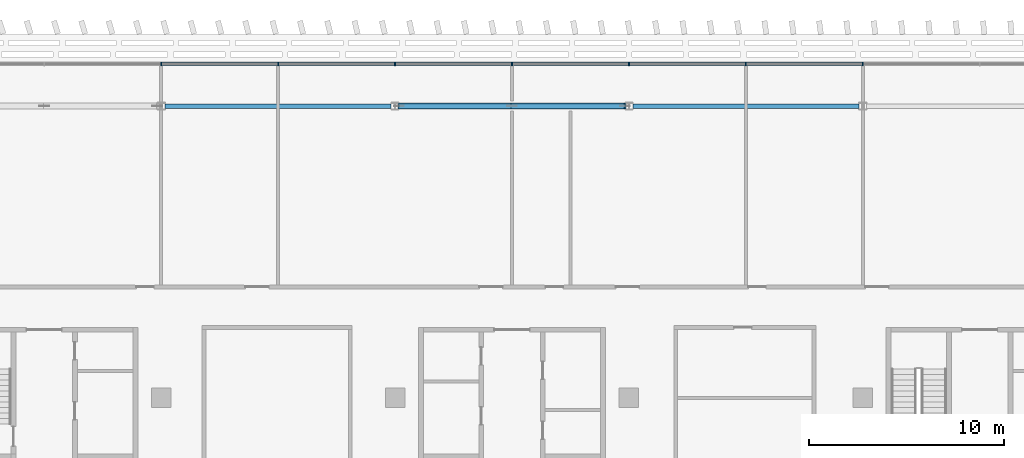
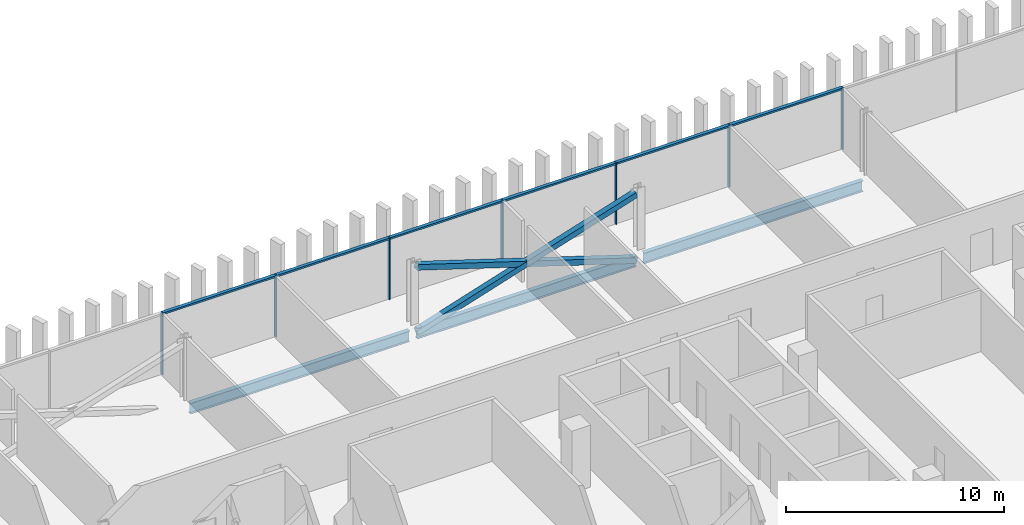
# One storey, part 10 of 32: 16 members, 3 beams, 1 element without a shape of its own.
"""IFC4 building model written with IfcOpenShell, lengths in metres."""

from ifc_helpers import new_model, si_unit, direction, frame, origin, origin_2d, place, context, subcontext, project, spatial, rectangle, hollow_rectangle, i_section, extrude, material, material_profile, profile_set, type_object, element, aggregate, save


model = new_model("IFC4")

# Units and contexts
model_context = context("Model", 3, precision=1e-05, world=origin(), true_north=direction((0.0, 1.0)))
body_context = subcontext(model_context, "Body", "Model", "MODEL_VIEW")
ifc_project = project(units=[si_unit("LENGTHUNIT", "METRE"), si_unit("AREAUNIT", "SQUARE_METRE"), si_unit("VOLUMEUNIT", "CUBIC_METRE"), si_unit("PLANEANGLEUNIT", "RADIAN"), si_unit("MASSUNIT", "GRAM", prefix="KILO")], contexts=[model_context])

# Site, building, storey
site_placement = place(None, origin())
site = spatial("IfcSite", under=ifc_project, at=site_placement, CompositionType="ELEMENT")
building_placement = place(site_placement, origin())
building = spatial("IfcBuilding", under=site, at=building_placement, Name="Mahtab Terrace Research Tower", CompositionType="ELEMENT")
storey_placement = place(building_placement, frame((0.0, 0.0, 232.39990234375)))
storey = spatial("IfcBuildingStorey", under=building, at=storey_placement, Name="L56", CompositionType="ELEMENT", Elevation=232.39990234375)

# Members
ifc_material_1 = material(Name="Steel ASTM A500 Gr C", Category="steel")
ifc_material_profile_1 = material_profile(ifc_material_1, hollow_rectangle(XDim=0.3046875, YDim=0.3046875, WallThickness=0.015869140625, at=origin_2d()), Name="HSS12X12X5/8")
ifc_profile_set_1 = profile_set([ifc_material_profile_1], Name="Steel ASTM A500 Gr C")
member_type_1 = type_object("IfcMemberType", Name="HSS 12x12x5/8 brace XB121258", PredefinedType="BRACE", material=ifc_profile_set_1)
member_1_placement = place(storey_placement, frame((5.800537109375, 26.472900390625, -0.580322265625), z_axis=(-0.953338568311, 0.0, 0.301903252998), x_axis=(0.0, -1.0, 0.0)))
element("IfcMember", 1, at=member_1_placement, inside=storey, type_object=member_type_1, Name="Exoskeleton brace L56 05 a", PredefinedType="BRACE", context=body_context, shape_type="SweptSolid", body=[
    extrude(hollow_rectangle(XDim=0.3046875, YDim=0.3046875, WallThickness=0.015869140625, at=origin_2d()), origin(), (0.0, 0.0, 1.0), 12.1689453125),
])
for number, where, z_axis, x_axis, name in (
    (2, (-5.800537109375, 26.472900390625, -0.580322265625), (0.953338568311, 0.0, 0.301903252998), (0.0, 1.0, 0.0), "Exoskeleton brace L56 05 b1"),
    (3, (0.0, 26.472900390625, 1.256591796875), (0.953338568311, 0.0, 0.301903252998), (0.0, 1.0, 0.0), "Exoskeleton brace L56 05 b2"),
):
    element("IfcMember", number, at=place(storey_placement, frame(where, z_axis=z_axis, x_axis=x_axis)), inside=storey, type_object=member_type_1, Name=name, PredefinedType="BRACE", context=body_context, shape_type="SweptSolid", body=[
        extrude(hollow_rectangle(XDim=0.3046875, YDim=0.3046875, WallThickness=0.015869140625, at=origin_2d()), origin(), (0.0, 0.0, 1.0), 6.08447265625),
    ])

# Curtain wall, members
ifc_material_2 = material(Name="Office ribbon curtain wall")
curtain_wall_type = type_object("IfcCurtainWallType", Name="Office ribbon curtain wall", PredefinedType="NOTDEFINED", material=ifc_material_2)
curtain_wall_placement = place(storey_placement, origin())
curtain_wall = element("IfcCurtainWall", 4, at=curtain_wall_placement, inside=storey, type_object=curtain_wall_type, Name="EN.L56.3.3", PredefinedType="NOTDEFINED")
ifc_material_3 = material(Name="Natural anodised aluminium", Category="aluminium")
ifc_material_profile_2 = material_profile(ifc_material_3, rectangle(XDim=0.179931640625, YDim=0.06005859375, at=origin_2d()), Name="MULLION 60x180")
ifc_profile_set_2 = profile_set([ifc_material_profile_2], Name="Natural anodised aluminium")
member_type_2 = type_object("IfcMemberType", Name="Office ribbon curtain wall mullion", PredefinedType="MULLION", material=ifc_profile_set_2)
member_2_placement = place(storey_placement, frame((18.0, 28.638916015625, 0.0), z_axis=(0.0, 0.0, 1.0), x_axis=(0.0, -1.0, 0.0)))
member_2 = element("IfcMember", 5, at=member_2_placement, type_object=member_type_2, Name="CWO-7 mullion 6", PredefinedType="MULLION", context=body_context, shape_type="SweptSolid", body=[
    extrude(rectangle(XDim=0.179931640625, YDim=0.06005859375, at=origin_2d()), origin(), (0.0, 0.0, 1.0), 3.460205078125),
])
member_3_placement = place(storey_placement, frame((12.0, 28.638916015625, 0.0), z_axis=(0.0, 0.0, 1.0), x_axis=(0.0, -1.0, 0.0)))
member_3 = element("IfcMember", 6, at=member_3_placement, type_object=member_type_2, Name="CWO-7 mullion 7", PredefinedType="MULLION", context=body_context, shape_type="SweptSolid", body=[
    extrude(rectangle(XDim=0.179931640625, YDim=0.06005859375, at=origin_2d()), origin(), (0.0, 0.0, 1.0), 3.460205078125),
])
member_4_placement = place(storey_placement, frame((6.0, 28.638916015625, 0.0), z_axis=(0.0, 0.0, 1.0), x_axis=(0.0, -1.0, 0.0)))
member_4 = element("IfcMember", 7, at=member_4_placement, type_object=member_type_2, Name="CWO-7 mullion 8", PredefinedType="MULLION", context=body_context, shape_type="SweptSolid", body=[
    extrude(rectangle(XDim=0.179931640625, YDim=0.06005859375, at=origin_2d()), origin(), (0.0, 0.0, 1.0), 3.460205078125),
])
member_5_placement = place(storey_placement, frame((0.0, 28.638916015625, 0.0), z_axis=(0.0, 0.0, 1.0), x_axis=(0.0, -1.0, 0.0)))
member_5 = element("IfcMember", 8, at=member_5_placement, type_object=member_type_2, Name="CWO-7 mullion 9", PredefinedType="MULLION", context=body_context, shape_type="SweptSolid", body=[
    extrude(rectangle(XDim=0.179931640625, YDim=0.06005859375, at=origin_2d()), origin(), (0.0, 0.0, 1.0), 3.460205078125),
])
member_6_placement = place(storey_placement, frame((-6.0, 28.638916015625, 0.0), z_axis=(0.0, 0.0, 1.0), x_axis=(0.0, -1.0, 0.0)))
member_6 = element("IfcMember", 9, at=member_6_placement, type_object=member_type_2, Name="CWO-7 mullion 10", PredefinedType="MULLION", context=body_context, shape_type="SweptSolid", body=[
    extrude(rectangle(XDim=0.179931640625, YDim=0.06005859375, at=origin_2d()), origin(), (0.0, 0.0, 1.0), 3.460205078125),
])
member_7_placement = place(storey_placement, frame((-12.0, 28.638916015625, 0.0), z_axis=(0.0, 0.0, 1.0), x_axis=(0.0, -1.0, 0.0)))
member_7 = element("IfcMember", 10, at=member_7_placement, type_object=member_type_2, Name="CWO-7 mullion 11", PredefinedType="MULLION", context=body_context, shape_type="SweptSolid", body=[
    extrude(rectangle(XDim=0.179931640625, YDim=0.06005859375, at=origin_2d()), origin(), (0.0, 0.0, 1.0), 3.460205078125),
])
member_8_placement = place(storey_placement, frame((-18.0, 28.638916015625, 0.0), z_axis=(0.0, 0.0, 1.0), x_axis=(0.0, -1.0, 0.0)))
member_8 = element("IfcMember", 11, at=member_8_placement, type_object=member_type_2, Name="CWO-7 mullion 12", PredefinedType="MULLION", context=body_context, shape_type="SweptSolid", body=[
    extrude(rectangle(XDim=0.179931640625, YDim=0.06005859375, at=origin_2d()), origin(), (0.0, 0.0, 1.0), 3.460205078125),
])
ifc_material_profile_3 = material_profile(ifc_material_3, rectangle(XDim=0.179931640625, YDim=0.10009765625, at=origin_2d()), Name="TRANSOM 100x180")
ifc_profile_set_3 = profile_set([ifc_material_profile_3], Name="Natural anodised aluminium")
member_type_3 = type_object("IfcMemberType", Name="Office ribbon curtain wall transom", PredefinedType="USERDEFINED", material=ifc_profile_set_3)
member_9_placement = place(storey_placement, frame((17.969970703125, 28.638916015625, 3.41015625), z_axis=(-1.0, 0.0, 0.0), x_axis=(0.0, -1.0, 0.0)))
member_9 = element("IfcMember", 12, at=member_9_placement, type_object=member_type_3, Name="CWO-7 transom 6", ObjectType="TRANSOM", PredefinedType="USERDEFINED", context=body_context, shape_type="SweptSolid", body=[
    extrude(rectangle(XDim=0.179931640625, YDim=0.10009765625, at=origin_2d()), origin(), (0.0, 0.0, 1.0), 5.93994140625),
])
member_10_placement = place(storey_placement, frame((11.969970703125, 28.638916015625, 3.41015625), z_axis=(-1.0, 0.0, 0.0), x_axis=(0.0, -1.0, 0.0)))
member_10 = element("IfcMember", 13, at=member_10_placement, type_object=member_type_3, Name="CWO-7 transom 7", ObjectType="TRANSOM", PredefinedType="USERDEFINED", context=body_context, shape_type="SweptSolid", body=[
    extrude(rectangle(XDim=0.179931640625, YDim=0.10009765625, at=origin_2d()), origin(), (0.0, 0.0, 1.0), 5.93994140625),
])
member_11_placement = place(storey_placement, frame((5.969970703125, 28.638916015625, 3.41015625), z_axis=(-1.0, 0.0, 0.0), x_axis=(0.0, -1.0, 0.0)))
member_11 = element("IfcMember", 14, at=member_11_placement, type_object=member_type_3, Name="CWO-7 transom 8", ObjectType="TRANSOM", PredefinedType="USERDEFINED", context=body_context, shape_type="SweptSolid", body=[
    extrude(rectangle(XDim=0.179931640625, YDim=0.10009765625, at=origin_2d()), origin(), (0.0, 0.0, 1.0), 5.93994140625),
])
member_12_placement = place(storey_placement, frame((-0.030029296875, 28.638916015625, 3.41015625), z_axis=(-1.0, 0.0, 0.0), x_axis=(0.0, -1.0, 0.0)))
member_12 = element("IfcMember", 15, at=member_12_placement, type_object=member_type_3, Name="CWO-7 transom 9", ObjectType="TRANSOM", PredefinedType="USERDEFINED", context=body_context, shape_type="SweptSolid", body=[
    extrude(rectangle(XDim=0.179931640625, YDim=0.10009765625, at=origin_2d()), origin(), (0.0, 0.0, 1.0), 5.93994140625),
])
member_13_placement = place(storey_placement, frame((-6.030029296875, 28.638916015625, 3.41015625), z_axis=(-1.0, 0.0, 0.0), x_axis=(0.0, -1.0, 0.0)))
member_13 = element("IfcMember", 16, at=member_13_placement, type_object=member_type_3, Name="CWO-7 transom 10", ObjectType="TRANSOM", PredefinedType="USERDEFINED", context=body_context, shape_type="SweptSolid", body=[
    extrude(rectangle(XDim=0.179931640625, YDim=0.10009765625, at=origin_2d()), origin(), (0.0, 0.0, 1.0), 5.93994140625),
])
member_14_placement = place(storey_placement, frame((-12.030029296875, 28.638916015625, 3.41015625), z_axis=(-1.0, 0.0, 0.0), x_axis=(0.0, -1.0, 0.0)))
member_14 = element("IfcMember", 17, at=member_14_placement, type_object=member_type_3, Name="CWO-7 transom 11", ObjectType="TRANSOM", PredefinedType="USERDEFINED", context=body_context, shape_type="SweptSolid", body=[
    extrude(rectangle(XDim=0.179931640625, YDim=0.10009765625, at=origin_2d()), origin(), (0.0, 0.0, 1.0), 5.93994140625),
])
aggregate(curtain_wall, [member_2, member_3, member_4, member_5, member_6, member_7, member_8, member_9, member_10, member_11, member_12, member_13, member_14])

# Beams
ifc_material_4 = material(Name="Steel ASTM A992 Gr 50", Category="steel")
ifc_material_profile_4 = material_profile(ifc_material_4, i_section(OverallWidth=0.228271484375, OverallDepth=0.607177734375, WebThickness=0.01123046875, FlangeThickness=0.017333984375, at=origin_2d()), Name="W24X76")
ifc_profile_set_4 = profile_set([ifc_material_profile_4], Name="Steel ASTM A992 Gr 50")
beam_type = type_object("IfcBeamType", Name="W24x76 beam BS2476", PredefinedType="BEAM", material=ifc_profile_set_4)
for number, where, z_axis, x_axis, name in (
    (18, (17.800537109375, 26.472900390625, -0.6435546875), (-1.0, 0.0, 0.0), (0.0, -1.0, 0.0), "Spandrel beam L56 04"),
    (19, (5.800537109375, 26.472900390625, -0.6435546875), (-1.0, 0.0, 0.0), (0.0, -1.0, 0.0), "Spandrel beam L56 05"),
    (20, (-6.199462890625, 26.472900390625, -0.6435546875), (-1.0, 0.0, 0.0), (0.0, -1.0, 0.0), "Spandrel beam L56 06"),
):
    element("IfcBeam", number, at=place(storey_placement, frame(where, z_axis=z_axis, x_axis=x_axis)), inside=storey, type_object=beam_type, Name=name, PredefinedType="BEAM", context=body_context, shape_type="SweptSolid", body=[
        extrude(i_section(OverallWidth=0.228271484375, OverallDepth=0.607177734375, WebThickness=0.01123046875, FlangeThickness=0.017333984375, at=origin_2d()), origin(), (0.0, 0.0, 1.0), 11.60107421875),
    ])

save(model, "model.ifc")
